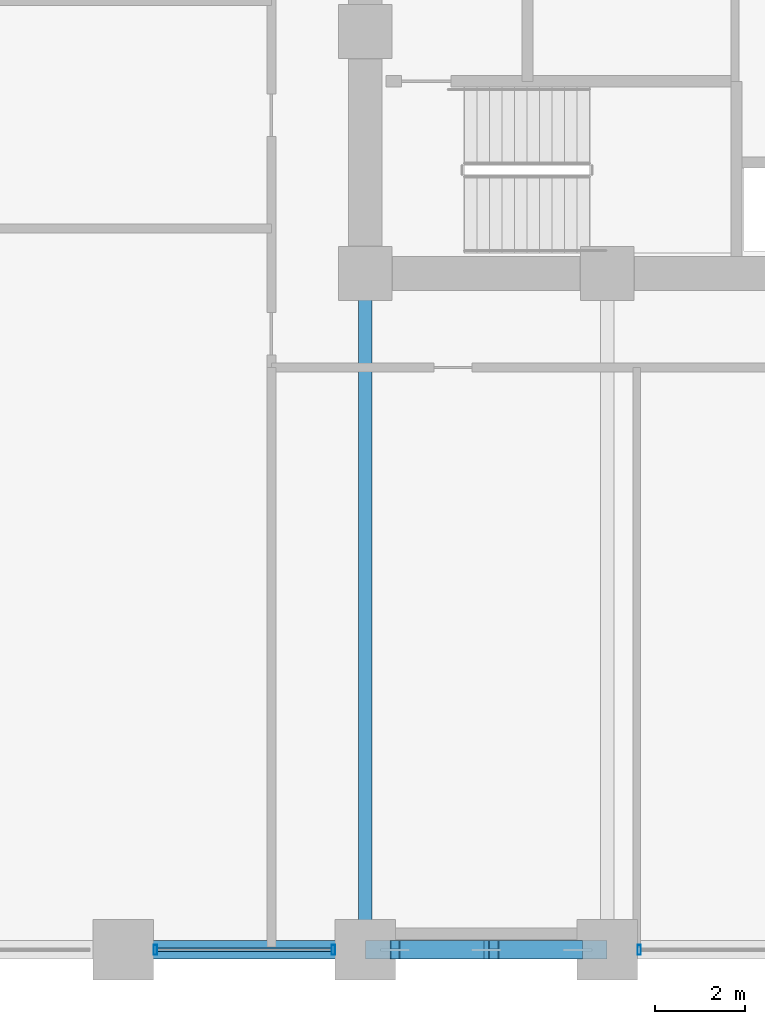
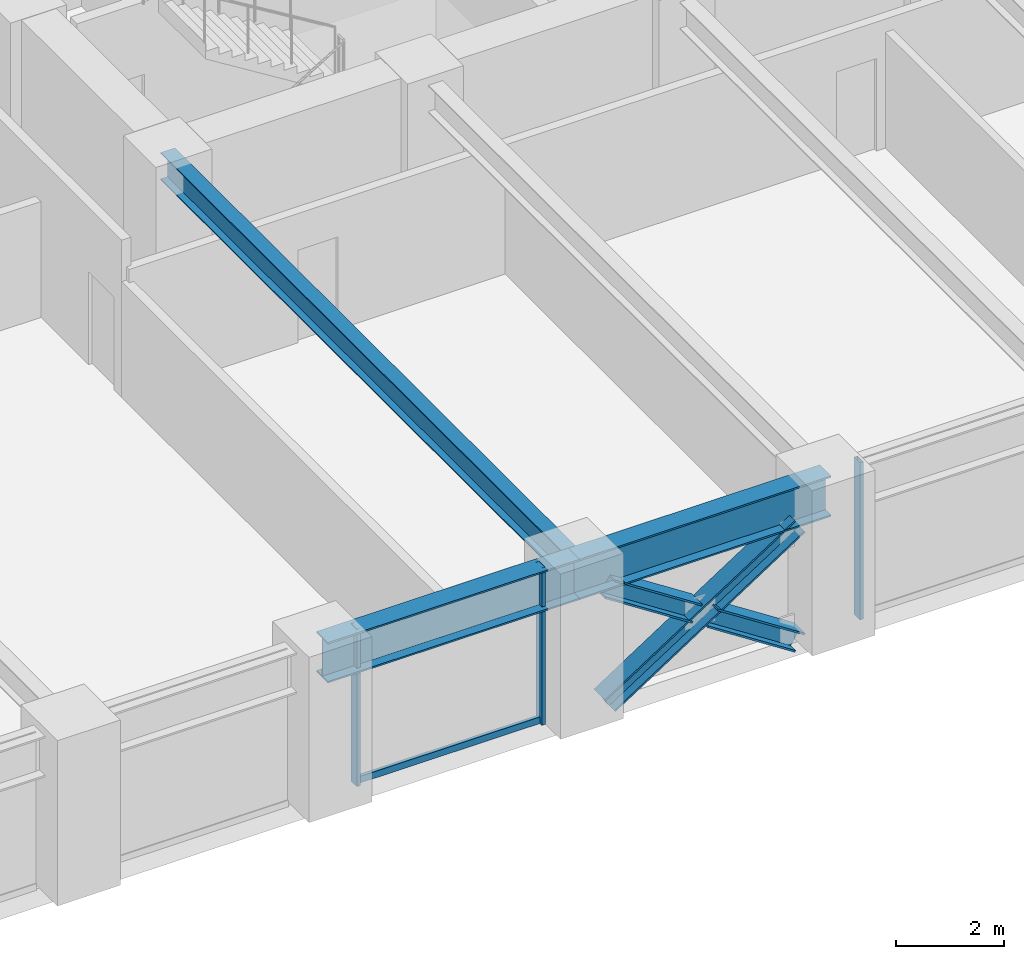
# One storey, part 4 of 27: 7 members, 3 beams, 2 elements without a shape of their own.
"""IFC4 building model written with IfcOpenShell, lengths in metres."""

from ifc_helpers import new_model, si_unit, direction, frame, origin, origin_2d, place, context, subcontext, project, spatial, hollow_rectangle, i_section, extrude, material, layer, layer_set, material_profile, profile_set, type_object, element, aggregate, save


model = new_model("IFC4")

# Units and contexts
model_context = context("Model", 3, precision=1e-05, world=origin(), true_north=direction((0.0, 1.0)))
body_context = subcontext(model_context, "Body", "Model", "MODEL_VIEW")
ifc_project = project(units=[si_unit("LENGTHUNIT", "METRE"), si_unit("AREAUNIT", "SQUARE_METRE"), si_unit("VOLUMEUNIT", "CUBIC_METRE"), si_unit("PLANEANGLEUNIT", "RADIAN"), si_unit("MASSUNIT", "GRAM", prefix="KILO")], contexts=[model_context])

# Site, building, storey
site_placement = place(None, origin())
site = spatial("IfcSite", under=ifc_project, at=site_placement, CompositionType="ELEMENT")
building_placement = place(site_placement, origin())
building = spatial("IfcBuilding", under=site, at=building_placement, Name="Surkhivell Harbour Commons", CompositionType="ELEMENT")
storey_placement = place(building_placement, frame((0.0, 0.0, 22.5)))
storey = spatial("IfcBuildingStorey", under=building, at=storey_placement, Name="L05", CompositionType="ELEMENT", Elevation=22.5)

# Beams
ifc_material_1 = material(Name="Steel S355", Category="steel")
ifc_material_profile_1 = material_profile(ifc_material_1, i_section(OverallWidth=0.306884765625, OverallDepth=0.6201171875, WebThickness=0.01416015625, FlangeThickness=0.023681640625, at=origin_2d()), Name="UB610x305x179")
ifc_profile_set_1 = profile_set([ifc_material_profile_1], Name="Steel S355")
beam_type_1 = type_object("IfcBeamType", Name="BM-GRD-610A", PredefinedType="BEAM", material=ifc_profile_set_1)
beam_1_placement = place(storey_placement, frame((-10.800048828125, -25.89990234375, 3.260009765625), z_axis=(0.0, 1.0, 0.0), x_axis=(-1.0, 0.0, 0.0)))
element("IfcBeam", 1, at=beam_1_placement, inside=storey, type_object=beam_type_1, Name="L05 Floor Girder (-10.8,-25.9)", PredefinedType="BEAM", context=body_context, shape_type="SweptSolid", body=[
    extrude(i_section(OverallWidth=0.306884765625, OverallDepth=0.6201171875, WebThickness=0.01416015625, FlangeThickness=0.023681640625, at=origin_2d()), origin(), (0.0, 0.0, 1.0), 15.099853515625),
])
ifc_material_2 = material(Name="Steel S460", Category="steel")
ifc_material_profile_2 = material_profile(ifc_material_2, i_section(OverallWidth=0.419921875, OverallDepth=0.9208984375, WebThickness=0.021484375, FlangeThickness=0.03662109375, at=origin_2d()), Name="UB914x419x388")
ifc_profile_set_2 = profile_set([ifc_material_profile_2], Name="Steel S460")
beam_type_2 = type_object("IfcBeamType", Name="BM-SPN-914A", PredefinedType="SPANDREL", material=ifc_profile_set_2)
beam_2_placement = place(storey_placement, frame((-16.199951171875, -25.89990234375, 3.109619140625), z_axis=(1.0, 0.0, 0.0), x_axis=(0.0, 1.0, 0.0)))
element("IfcBeam", 2, at=beam_2_placement, inside=storey, type_object=beam_type_2, Name="L05 Tube Spandrel (-16.2,-25.9)", PredefinedType="SPANDREL", context=body_context, shape_type="SweptSolid", body=[
    extrude(i_section(OverallWidth=0.419921875, OverallDepth=0.9208984375, WebThickness=0.021484375, FlangeThickness=0.03662109375, at=origin_2d()), origin(), (0.0, 0.0, 1.0), 5.39990234375),
])
beam_3_placement = place(storey_placement, frame((-10.800048828125, -25.89990234375, 3.109619140625), z_axis=(1.0, 0.0, 0.0), x_axis=(0.0, 1.0, 0.0)))
element("IfcBeam", 3, at=beam_3_placement, inside=storey, type_object=beam_type_2, Name="L05 Tube Spandrel (-10.8,-25.9)", PredefinedType="SPANDREL", context=body_context, shape_type="SweptSolid", body=[
    extrude(i_section(OverallWidth=0.419921875, OverallDepth=0.9208984375, WebThickness=0.021484375, FlangeThickness=0.03662109375, at=origin_2d()), origin(), (0.0, 0.0, 1.0), 5.400146484375),
])

# Curtain wall, members
ifc_material_3 = material(Name="Anodised pale-metal aluminium and insulated glazing", Category="aluminium")
ifc_layer = layer(ifc_material_3, 0.219970703125)
ifc_layer_set = layer_set([ifc_layer], Name="Anodised pale-metal aluminium and insulated glazing")
curtain_wall_type = type_object("IfcCurtainWallType", Name="CW-SYS-Z1", PredefinedType="NOTDEFINED", material=ifc_layer_set)
curtain_wall_1_placement = place(storey_placement, origin())
curtain_wall_1 = element("IfcCurtainWall", 4, at=curtain_wall_1_placement, inside=storey, type_object=curtain_wall_type, Name="L05 Curtain Wall CW-L05-E00S1", PredefinedType="NOTDEFINED")
ifc_material_4 = material(Name="Anodised pale-metal aluminium alloy 6063-T6", Category="aluminium")
ifc_material_profile_3 = material_profile(ifc_material_4, hollow_rectangle(XDim=0.074951171875, YDim=0.219970703125, WallThickness=0.00390625, at=origin_2d()), Name="ALU-MULL-75x220")
ifc_profile_set_3 = profile_set([ifc_material_profile_3], Name="Anodised pale-metal aluminium alloy 6063-T6")
member_type_1 = type_object("IfcMemberType", Name="CWM-220", PredefinedType="MULLION", material=ifc_profile_set_3)
member_1_placement = place(storey_placement, frame((-15.485595703125, -25.89990234375, 0.0), z_axis=(0.0, 0.0, 1.0), x_axis=(1.0, 0.0, 0.0)))
member_1 = element("IfcMember", 5, at=member_1_placement, type_object=member_type_1, Name="CW-Z1 mullion 3", PredefinedType="MULLION", context=body_context, shape_type="SweptSolid", body=[
    extrude(hollow_rectangle(XDim=0.074951171875, YDim=0.219970703125, WallThickness=0.00390625, at=origin_2d()), origin(), (0.0, 0.0, 1.0), 3.570068359375),
])
member_2_placement = place(storey_placement, frame((-11.514404296875, -25.89990234375, 0.0), z_axis=(0.0, 0.0, 1.0), x_axis=(1.0, 0.0, 0.0)))
member_2 = element("IfcMember", 6, at=member_2_placement, type_object=member_type_1, Name="CW-Z1 mullion 4", PredefinedType="MULLION", context=body_context, shape_type="SweptSolid", body=[
    extrude(hollow_rectangle(XDim=0.074951171875, YDim=0.219970703125, WallThickness=0.00390625, at=origin_2d()), origin(), (0.0, 0.0, 1.0), 3.570068359375),
])

# Curtain wall, member
curtain_wall_2_placement = place(storey_placement, origin())
curtain_wall_2 = element("IfcCurtainWall", 7, at=curtain_wall_2_placement, inside=storey, type_object=curtain_wall_type, Name="L05 Curtain Wall CW-L05-E00S2", PredefinedType="NOTDEFINED")
member_3_placement = place(storey_placement, frame((-4.685546875, -25.89990234375, 0.0), z_axis=(0.0, 0.0, 1.0), x_axis=(1.0, 0.0, 0.0)))
member_3 = element("IfcMember", 8, at=member_3_placement, type_object=member_type_1, Name="CW-Z1 mullion 1", PredefinedType="MULLION", context=body_context, shape_type="SweptSolid", body=[
    extrude(hollow_rectangle(XDim=0.074951171875, YDim=0.219970703125, WallThickness=0.00390625, at=origin_2d()), origin(), (0.0, 0.0, 1.0), 3.570068359375),
])
aggregate(curtain_wall_2, [member_3])

# Member
ifc_material_profile_4 = material_profile(ifc_material_4, hollow_rectangle(XDim=0.074951171875, YDim=0.14990234375, WallThickness=0.00341796875, at=origin_2d()), Name="ALU-TRAN-75x150")
ifc_profile_set_4 = profile_set([ifc_material_profile_4], Name="Anodised pale-metal aluminium alloy 6063-T6")
member_type_2 = type_object("IfcMemberType", Name="CWT-150", PredefinedType="USERDEFINED", material=ifc_profile_set_4)
member_4_placement = place(storey_placement, frame((-15.447998046875, -25.89990234375, 0.074951171875), z_axis=(1.0, 0.0, 0.0), x_axis=(0.0, 1.0, 0.0)))
member_4 = element("IfcMember", 9, at=member_4_placement, type_object=member_type_2, Name="CW-Z1 transom 3.1", ObjectType="TRANSOM", PredefinedType="USERDEFINED", context=body_context, shape_type="SweptSolid", body=[
    extrude(hollow_rectangle(XDim=0.074951171875, YDim=0.14990234375, WallThickness=0.00341796875, at=origin_2d()), origin(), (0.0, 0.0, 1.0), 3.89599609375),
])

aggregate(curtain_wall_1, [member_1, member_2, member_4])

# Members
ifc_material_profile_5 = material_profile(ifc_material_2, i_section(OverallWidth=0.406005859375, OverallDepth=0.416015625, WebThickness=0.026611328125, FlangeThickness=0.0390625, at=origin_2d()), Name="HD400x382")
ifc_profile_set_5 = profile_set([ifc_material_profile_5], Name="Steel S460")
member_type_3 = type_object("IfcMemberType", Name="MEM-BRC-HD382", PredefinedType="BRACE", material=ifc_profile_set_5)
member_5_placement = place(storey_placement, frame((-10.139892578125, -25.89990234375, 0.008056640625), z_axis=(0.839088897369, 0.0, 0.543994321949), x_axis=(0.0, 1.0, 0.0)))
element("IfcMember", 10, at=member_5_placement, inside=storey, type_object=member_type_3, Name="L05 Perimeter Mega-Brace MB- 07", PredefinedType="BRACE", context=body_context, shape_type="SweptSolid", body=[
    extrude(i_section(OverallWidth=0.406005859375, OverallDepth=0.416015625, WebThickness=0.026611328125, FlangeThickness=0.0390625, at=origin_2d()), origin(), (0.0, 0.0, 1.0), 4.8623046875),
])
for number, where, z_axis, x_axis, name in (
    (11, (-6.06005859375, -25.89990234375, 0.008056640625), (-0.83908547242, 0.0, 0.543999604756), (0.0, -1.0, 0.0), "L05 Perimeter Mega-Brace MB- 08"),
    (12, (-8.267578125, -25.89990234375, 1.439208984375), (-0.83908547242, 0.0, 0.543999604756), (0.0, -1.0, 0.0), "L05 Perimeter Mega-Brace MB- 09"),
):
    element("IfcMember", number, at=place(storey_placement, frame(where, z_axis=z_axis, x_axis=x_axis)), inside=storey, type_object=member_type_3, Name=name, PredefinedType="BRACE", context=body_context, shape_type="SweptSolid", body=[
        extrude(i_section(OverallWidth=0.406005859375, OverallDepth=0.416015625, WebThickness=0.026611328125, FlangeThickness=0.0390625, at=origin_2d()), origin(), (0.0, 0.0, 1.0), 2.2314453125),
    ])

save(model, "model.ifc")
